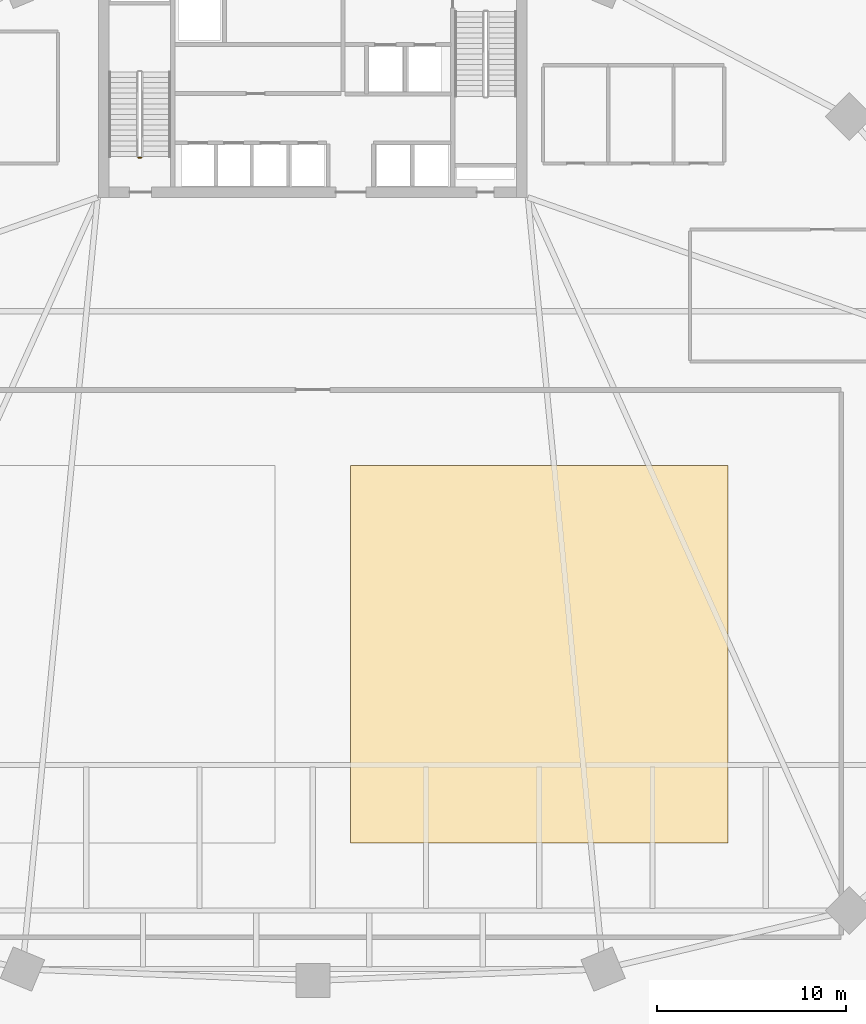
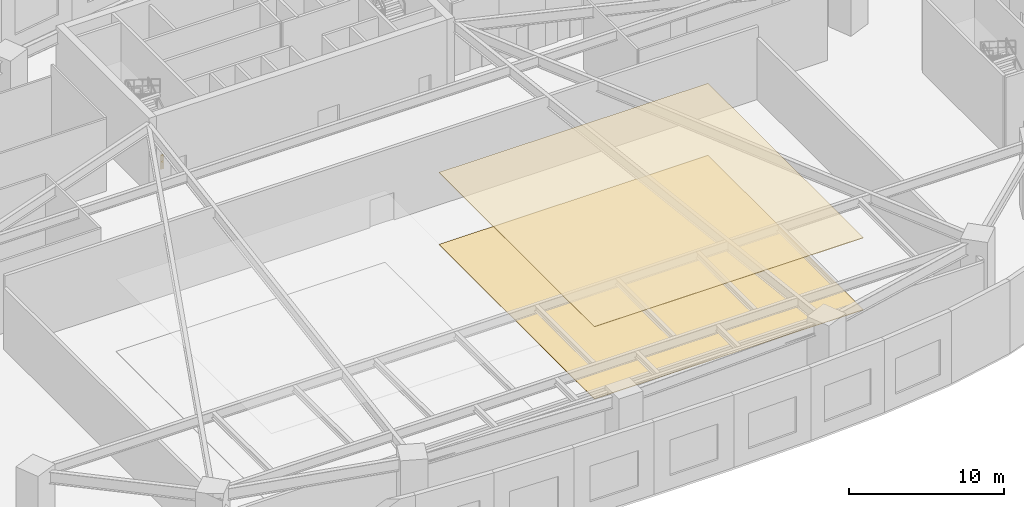
# One storey, part 8 of 10: 2 coverings, 1 railing.
"""IFC4 building model written with IfcOpenShell, lengths in metres."""

from ifc_helpers import new_model, si_unit, direction, frame, origin, origin_2d, place, context, subcontext, project, spatial, polyline, rectangle, outline, extrude, material, layer, layer_set, type_object, element, save


model = new_model("IFC4")

# Units and contexts
model_context = context("Model", 3, precision=1e-05, world=origin(), true_north=direction((0.0, 1.0)))
body_context = subcontext(model_context, "Body", "Model", "MODEL_VIEW")
ifc_project = project(units=[si_unit("LENGTHUNIT", "METRE"), si_unit("AREAUNIT", "SQUARE_METRE"), si_unit("VOLUMEUNIT", "CUBIC_METRE"), si_unit("PLANEANGLEUNIT", "RADIAN"), si_unit("MASSUNIT", "GRAM", prefix="KILO")], contexts=[model_context])

# Site, building, storey
site_placement = place(None, origin())
site = spatial("IfcSite", under=ifc_project, at=site_placement, CompositionType="ELEMENT")
building_placement = place(site_placement, origin())
building = spatial("IfcBuilding", under=site, at=building_placement, Name="Breltana Convention Tower", CompositionType="ELEMENT")
storey_placement = place(building_placement, frame((0.0, 0.0, 6.0)))
storey = spatial("IfcBuildingStorey", under=building, at=storey_placement, Name="L01", CompositionType="ELEMENT", Elevation=6.0)

# Coverings
ifc_material_1 = material(Name="Gypsum Micro-Perforated Acoustic Ceiling")
ifc_layer_1 = layer(ifc_material_1, 0.044921875, Name="Gypsum Micro-Perforated Acoustic Ceiling")
ifc_layer_set_1 = layer_set([ifc_layer_1], Name="Gypsum Micro-Perforated Acoustic Ceiling")
covering_type_1 = type_object("IfcCoveringType", Name="COV-CEIL-ACOUSTIC-45", PredefinedType="CEILING", material=ifc_layer_set_1)
covering_1_placement = place(storey_placement, frame((0.0, 0.0, 5.655029296875)))
element("IfcCovering", 1, at=covering_1_placement, inside=storey, type_object=covering_type_1, Name="L01 hall acoustic ceiling 3", PredefinedType="CEILING", context=body_context, shape_type="SweptSolid", body=[
    extrude(outline(polyline([(50.0, 26.0), (70.0, 26.0), (70.0, 46.0), (50.0, 46.0), (50.0, 26.0)])), origin(), (0.0, 0.0, 1.0), 0.044921875),
])
ifc_material_2 = material(Name="Warm Buff Limestone Terrazzo Flooring", Category="masonry")
ifc_layer_2 = layer(ifc_material_2, 0.034912109375, Name="Warm Buff Limestone Terrazzo Flooring")
ifc_layer_set_2 = layer_set([ifc_layer_2], Name="Warm Buff Limestone Terrazzo Flooring")
covering_type_2 = type_object("IfcCoveringType", Name="COV-FLOOR-TERRAZZO-35", PredefinedType="FLOORING", material=ifc_layer_set_2)
covering_2_placement = place(storey_placement, origin())
element("IfcCovering", 2, at=covering_2_placement, inside=storey, type_object=covering_type_2, Name="L01 hall limestone terrazzo flooring 3", PredefinedType="FLOORING", context=body_context, shape_type="SweptSolid", body=[
    extrude(outline(polyline([(50.0, 26.0), (70.0, 26.0), (70.0, 46.0), (50.0, 46.0), (50.0, 26.0)])), origin(), (0.0, 0.0, 1.0), 0.034912109375),
])

# Railing
ifc_material_3 = material(Name="Steel S275 Painted", Category="steel")
railing_type = type_object("IfcRailingType", Name="RL-STAIR-GUARD-1100", PredefinedType="GUARDRAIL", material=ifc_material_3)
railing_placement = place(storey_placement, frame((38.909912109375, 62.31005859375, 0.0)))
element("IfcRailing", 3, at=railing_placement, inside=storey, type_object=railing_type, Name="L01 ST-1 stair guard 4", PredefinedType="GUARDRAIL", context=body_context, shape_type="SweptSolid", body=[
    extrude(rectangle(XDim=0.048095703125, YDim=0.048095703125, at=origin_2d()), frame((0.0, 0.0, 1.076171875), z_axis=(-1.0, 0.0, 0.0), x_axis=(0.0, -1.0, 0.0)), (0.0, 0.0, 1.0), 0.14990234375),
    extrude(rectangle(XDim=0.048095703125, YDim=0.048095703125, at=origin_2d()), frame((0.0, 0.0, 0.572021484375), z_axis=(-1.0, 0.0, 0.0), x_axis=(0.0, -1.0, 0.0)), (0.0, 0.0, 1.0), 0.14990234375),
    extrude(rectangle(XDim=0.0419921875, YDim=0.0419921875, at=origin_2d()), origin(), (0.0, 0.0, 1.0), 1.052001953125),
    extrude(rectangle(XDim=0.0419921875, YDim=0.0419921875, at=origin_2d()), frame((-0.14990234375, 0.0, 0.0)), (0.0, 0.0, 1.0), 1.052001953125),
])

save(model, "model.ifc")
